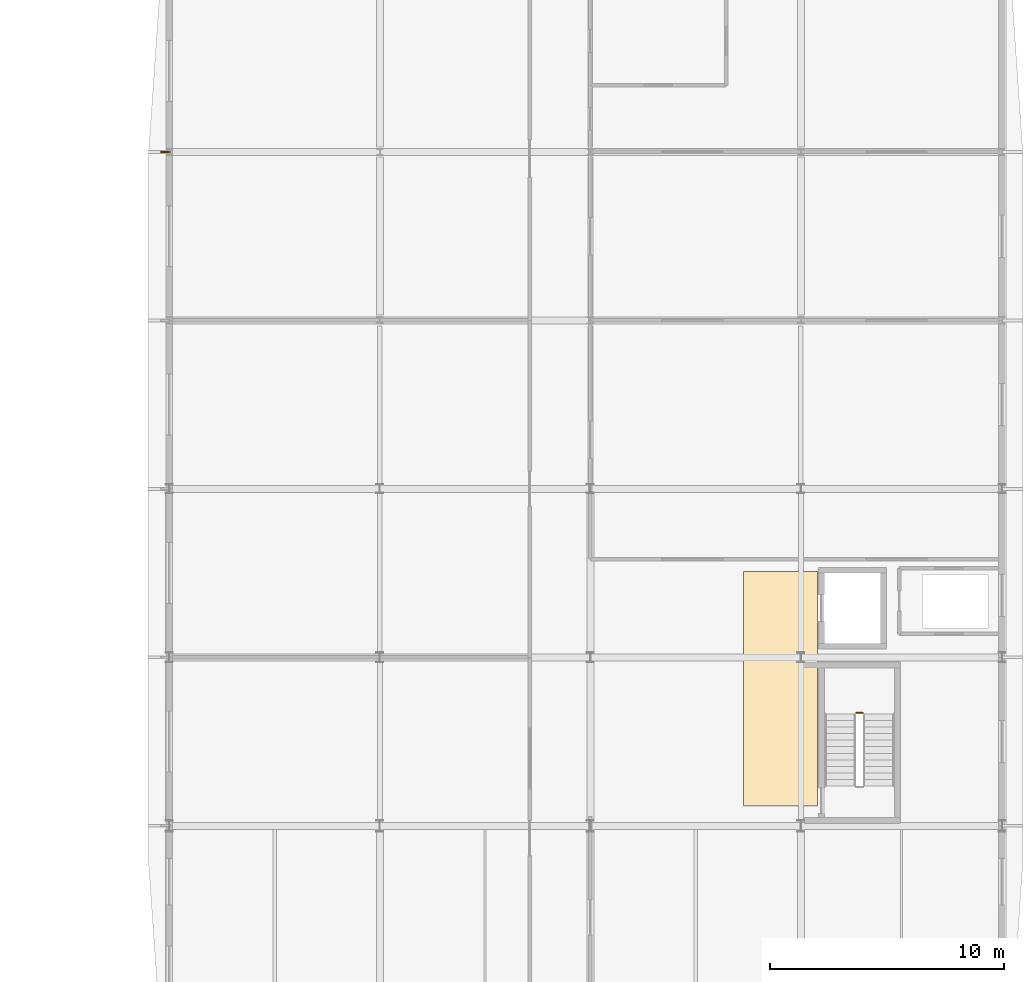
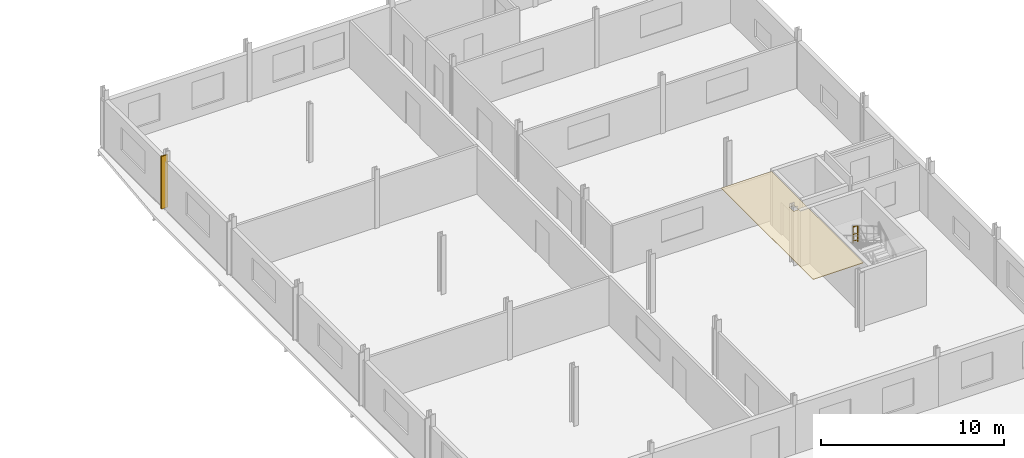
# One storey, part 78 of 78: 1 covering, 1 railing, 1 shading device.
"""IFC4 building model written with IfcOpenShell, lengths in metres."""

from ifc_helpers import new_model, si_unit, direction, frame, origin, origin_2d, place, context, subcontext, project, spatial, polyline, rectangle, circle, outline, extrude, material, layer, layer_set, type_object, element, save


model = new_model("IFC4")

# Units and contexts
model_context = context("Model", 3, precision=1e-05, world=origin(), true_north=direction((0.0, 1.0)))
body_context = subcontext(model_context, "Body", "Model", "MODEL_VIEW")
ifc_project = project(units=[si_unit("LENGTHUNIT", "METRE"), si_unit("AREAUNIT", "SQUARE_METRE"), si_unit("VOLUMEUNIT", "CUBIC_METRE"), si_unit("PLANEANGLEUNIT", "RADIAN"), si_unit("MASSUNIT", "GRAM", prefix="KILO")], contexts=[model_context])

# Site, building, storey
site_placement = place(None, origin())
site = spatial("IfcSite", under=ifc_project, at=site_placement, CompositionType="ELEMENT")
building_placement = place(site_placement, origin())
building = spatial("IfcBuilding", under=site, at=building_placement, Name="Vinh Khe Railworks Police Headquarters", CompositionType="ELEMENT")
storey_placement = place(building_placement, frame((0.0, 0.0, 13.199951171875)))
storey = spatial("IfcBuildingStorey", under=building, at=storey_placement, Name="L03", CompositionType="ELEMENT", Elevation=13.199951171875)

# Covering
ifc_material_1 = material(Name="Mineral fibre acoustic ceiling tile")
ifc_layer = layer(ifc_material_1, 0.034912109375)
ifc_layer_set = layer_set([ifc_layer], Name="Mineral fibre acoustic ceiling tile")
covering_type = type_object("IfcCoveringType", Name="COV-CEIL-ACOUSTIC", PredefinedType="CEILING", material=ifc_layer_set)
covering_placement = place(storey_placement, frame((0.0, 0.0, 3.614990234375)))
element("IfcCovering", 1, at=covering_placement, inside=storey, type_object=covering_type, Name="Acoustic Ceiling Protected Forensic Stair Lobby C3", PredefinedType="CEILING", context=body_context, shape_type="SweptSolid", body=[
    extrude(outline(polyline([(105.7099609375, 141.659912109375), (102.5400390625, 141.659912109375), (102.5400390625, 131.639892578125), (105.7099609375, 131.639892578125), (105.7099609375, 141.659912109375)]), holes=[polyline([(105.155029296875, 137.77490234375), (104.844970703125, 137.77490234375), (104.844970703125, 138.22509765625), (105.155029296875, 138.22509765625), (105.155029296875, 137.77490234375)])]), origin(), (0.0, 0.0, 1.0), 0.03515625),
])

# Railing
ifc_material_2 = material(Name="Painted tubular steel", Category="steel")
railing_type = type_object("IfcRailingType", Name="RL-GUARD-1100", PredefinedType="GUARDRAIL", material=ifc_material_2)
railing_placement = place(storey_placement, frame((107.64990234375, 135.6298828125, 1.949951171875)))
element("IfcRailing", 2, at=railing_placement, inside=storey, type_object=railing_type, Name="L03 ST-03 stair guard 2", PredefinedType="GUARDRAIL", context=body_context, shape_type="SweptSolid", body=[
    extrude(circle(Radius=0.02392578125, at=origin_2d()), frame((0.0, 0.0, 1.076171875), z_axis=(-1.0, 0.0, 0.0), x_axis=(0.0, -1.0, 0.0)), (0.0, 0.0, 1.0), 0.2998046875),
    extrude(circle(Radius=0.01416015625, at=origin_2d()), frame((0.0, 0.0, 0.132080078125), z_axis=(-1.0, 0.0, 0.0), x_axis=(0.0, -1.0, 0.0)), (0.0, 0.0, 1.0), 0.2998046875),
    extrude(circle(Radius=0.01416015625, at=origin_2d()), frame((0.0, 0.0, 0.572021484375), z_axis=(-1.0, 0.0, 0.0), x_axis=(0.0, -1.0, 0.0)), (0.0, 0.0, 1.0), 0.2998046875),
    extrude(circle(Radius=0.02099609375, at=origin_2d()), origin(), (0.0, 0.0, 1.0), 1.052001953125),
    extrude(circle(Radius=0.02099609375, at=origin_2d()), frame((-0.2998046875, 0.0, 0.0)), (0.0, 0.0, 1.0), 1.052001953125),
])

# Shading device
ifc_material_3 = material(Name="Salvaged ironwood timber", Category="wood")
shading_device_type = type_object("IfcShadingDeviceType", Name="SHD-MSF-01", PredefinedType="JALOUSIE", material=ifc_material_3)
shading_device_placement = place(storey_placement, frame((77.840087890625, 159.60009765625, 0.10009765625), z_axis=(0.0, 0.0, 1.0), x_axis=(1.0, 0.0, 0.0)))
element("IfcShadingDevice", 3, at=shading_device_placement, inside=storey, type_object=shading_device_type, Name="Monsoon Court Solar Fin V6 L03-5", PredefinedType="JALOUSIE", context=body_context, shape_type="SweptSolid", body=[
    extrude(rectangle(XDim=0.419921875, YDim=0.080078125, at=origin_2d()), origin(), (0.0, 0.0, 1.0), 3.5),
])

save(model, "model.ifc")
